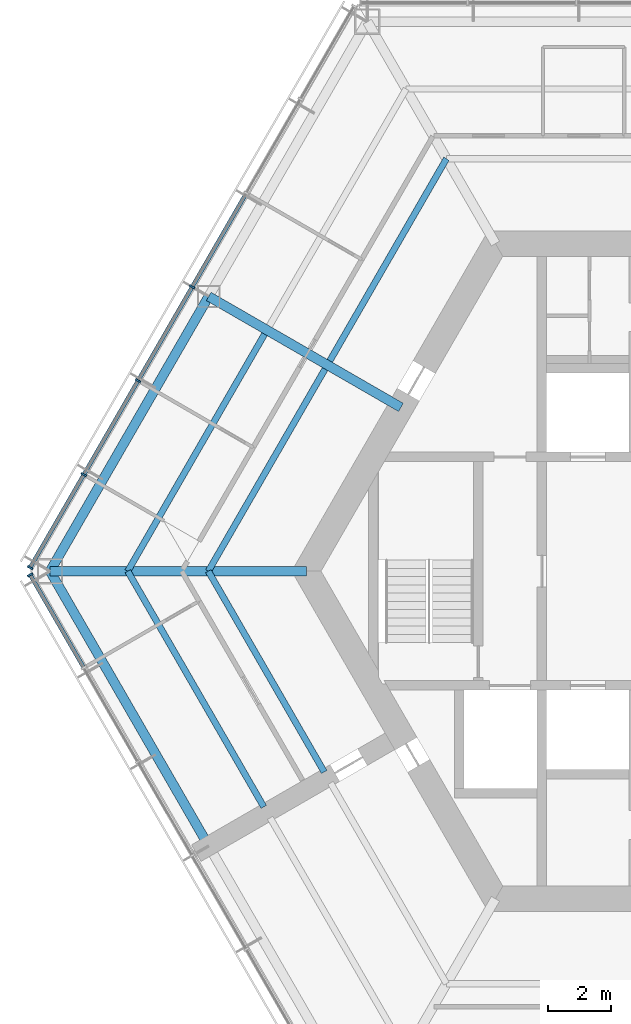
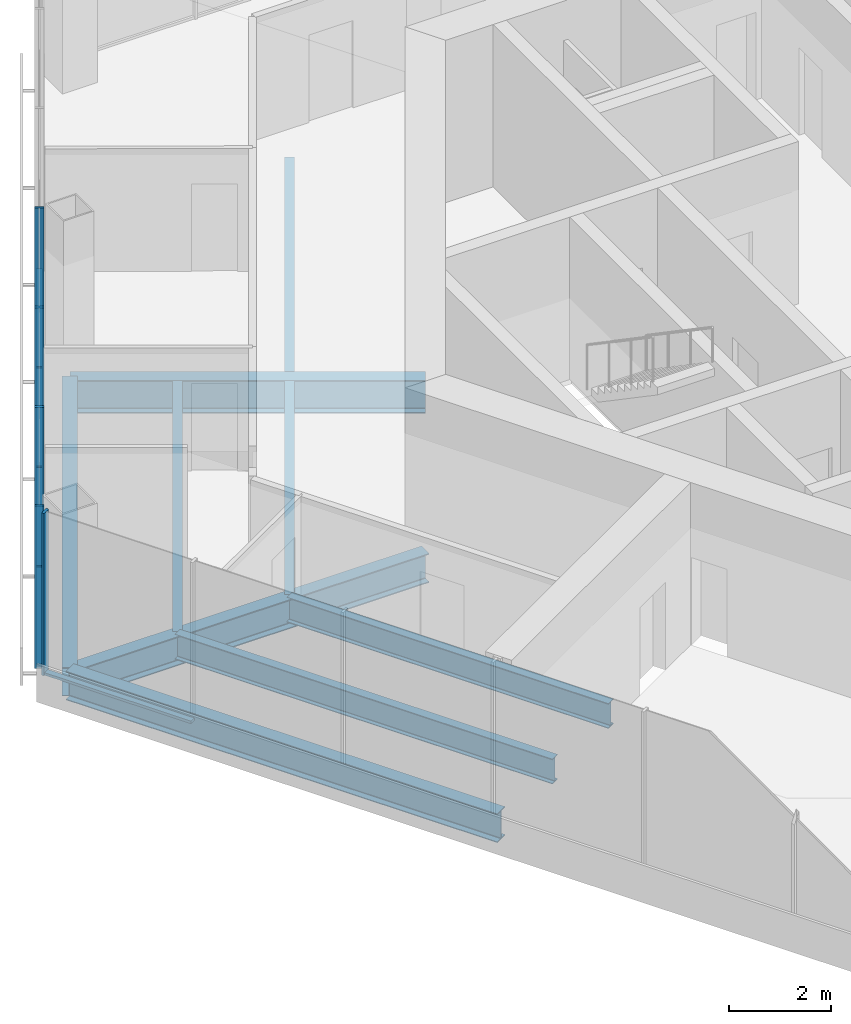
# One storey, part 3 of 13: 10 members, 9 beams, 2 elements without a shape of their own.
"""IFC4 building model written with IfcOpenShell, lengths in metres."""

import ifcopenshell
import ifcopenshell.guid

model = None  # the IFC model being written
_history = None  # IfcOwnerHistory: only IFC2X3 demands one
_inside = {}  # id of a spatial element -> (the spatial element, [elements in it])
_under = {}  # id of a project, library or spatial element -> (it, [spatial elements below it])
_declared = {}  # id of a project -> (the project, [libraries it declares])
_typed = {}  # id of a type object -> (the type object, [elements of that type])
_made_of = {}  # id of a material, layer set ... -> (it, [elements and type objects made of it])


def new_model(schema):
    """Start an empty IFC model of exactly this schema.

    Asked for "IFC4X3", IfcOpenShell would pick the latest addendum, in which some entities
    have other attributes; the version numbers below select the first issue.
    IFC2X3 requires an IfcOwnerHistory on every rooted entity: one is made here for all.
    """
    global model, _history
    if schema == "IFC4X3":
        model = ifcopenshell.file(schema_version=(4, 3, 0, 0))
    else:
        model = ifcopenshell.file(schema=schema)
    _inside.clear()
    _under.clear()
    _declared.clear()
    _typed.clear()
    _made_of.clear()
    _history = None
    if model.schema == "IFC2X3":
        org = make("IfcOrganization", Name="unknown")
        user = make(
            "IfcPersonAndOrganization",
            ThePerson=make("IfcPerson", FamilyName="unknown"),
            TheOrganization=org,
        )
        app = make(
            "IfcApplication",
            ApplicationDeveloper=org,
            Version="unknown",
            ApplicationFullName="unknown",
            ApplicationIdentifier="unknown",
        )
        _history = make(
            "IfcOwnerHistory",
            OwningUser=user,
            OwningApplication=app,
            ChangeAction="ADDED",
            CreationDate=0,
        )
    return model


def make(cls, **values):
    """One entity of the class cls with the attributes given. An attribute that is None is left unset."""
    return model.create_entity(
        cls, **{name: value for name, value in values.items() if value is not None}
    )


def rooted(cls, **values):
    """An entity with a GlobalId (a new one), such as an element, a storey or a relation."""
    return make(cls, GlobalId=ifcopenshell.guid.new(), OwnerHistory=_history, **values)


def si_unit(unit_type, name, prefix=None):
    """IfcSIUnit, for example si_unit("LENGTHUNIT", "METRE", prefix="MILLI")."""
    return make("IfcSIUnit", UnitType=unit_type, Prefix=prefix, Name=name)


def assignment(units):
    """IfcUnitAssignment: the units of a project."""
    return None if units is None else make("IfcUnitAssignment", Units=units)


def point(xyz):
    """IfcCartesianPoint."""
    return None if xyz is None else make("IfcCartesianPoint", Coordinates=xyz)


def direction(xyz):
    """IfcDirection."""
    return None if xyz is None else make("IfcDirection", DirectionRatios=xyz)


def frame(location, z_axis=None, x_axis=None):
    """IfcAxis2Placement3D, a coordinate frame: its origin and axes. An axis left out is left unset."""
    return make(
        "IfcAxis2Placement3D",
        Location=point(location),
        Axis=direction(z_axis),
        RefDirection=direction(x_axis),
    )


def frame_2d(location, x_axis=None):
    """IfcAxis2Placement2D, a coordinate frame in the plane: its origin and x axis."""
    return make(
        "IfcAxis2Placement2D", Location=point(location), RefDirection=direction(x_axis)
    )


def origin():
    """The frame at (0, 0, 0) with its axes left unset."""
    return frame((0.0, 0.0, 0.0))


def origin_2d():
    """The frame at (0, 0) in the plane with its x axis left unset."""
    return frame_2d((0.0, 0.0))


def place(relative_to, where):
    """IfcLocalPlacement: puts the frame where relative to a parent placement (None: the world)."""
    return make(
        "IfcLocalPlacement", PlacementRelTo=relative_to, RelativePlacement=where
    )


def context(
    kind, dimensions, precision=None, world=None, true_north=None, identifier=None
):
    """IfcGeometricRepresentationContext, for example the 3D "Model" context."""
    return make(
        "IfcGeometricRepresentationContext",
        ContextIdentifier=identifier,
        ContextType=kind,
        CoordinateSpaceDimension=dimensions,
        Precision=precision,
        WorldCoordinateSystem=world,
        TrueNorth=true_north,
    )


def subcontext(parent, identifier, kind, view, scale=None):
    """IfcGeometricRepresentationSubContext, for example "Body" below "Model"."""
    return make(
        "IfcGeometricRepresentationSubContext",
        ContextIdentifier=identifier,
        ContextType=kind,
        ParentContext=parent,
        TargetScale=scale,
        TargetView=view,
    )


def project(units=None, contexts=None):
    """IfcProject with its units and contexts."""
    return rooted(
        "IfcProject",
        Name="project",
        RepresentationContexts=contexts,
        UnitsInContext=assignment(units),
    )


def spatial(cls, under=None, at=None, **own):
    """A site, building, storey or space (cls), placed at a placement, below another one or the project."""
    s = rooted(cls, ObjectPlacement=at, **own)
    if under is not None:
        _under.setdefault(under.id(), (under, []))[1].append(s)
    return s


def profile(cls, at=None, kind="AREA", **sizes):
    """A parametric profile (cls). Its sizes go by their IFC names, for example OverallWidth=200.0."""
    return make(cls, ProfileType=kind, Position=at, **sizes)


def rectangle(**sizes):
    """IfcRectangleProfileDef."""
    return profile("IfcRectangleProfileDef", **sizes)


def i_section(**sizes):
    """IfcIShapeProfileDef."""
    return profile("IfcIShapeProfileDef", **sizes)


def extrude(swept, where, along, depth):
    """IfcExtrudedAreaSolid: the profile swept, set in the frame where, extruded along a direction by depth."""
    return make(
        "IfcExtrudedAreaSolid",
        SweptArea=swept,
        Position=where,
        ExtrudedDirection=direction(along),
        Depth=depth,
    )


def shape(context_of_items, identifier, shape_type, items):
    """IfcShapeRepresentation: the items that make up one representation, for example the "Body"."""
    return make(
        "IfcShapeRepresentation",
        ContextOfItems=context_of_items,
        RepresentationIdentifier=identifier,
        RepresentationType=shape_type,
        Items=items,
    )


def material(Name=None, Category=None):
    """IfcMaterial."""
    return make("IfcMaterial", Name=Name, Category=Category)


def material_profile(
    of_material, cross_section, Name=None, Category=None, Priority=None
):
    """IfcMaterialProfile: a cross section and its material."""
    return make(
        "IfcMaterialProfile",
        Name=Name,
        Material=of_material,
        Profile=cross_section,
        Priority=Priority,
        Category=Category,
    )


def profile_set(profiles, Name=None, composite=None):
    """IfcMaterialProfileSet."""
    return make(
        "IfcMaterialProfileSet",
        Name=Name,
        MaterialProfiles=profiles,
        CompositeProfile=composite,
    )


def made_of(thing, what):
    """Note that an element or type object is made of a material, layer set ...; save() writes the relation."""
    if what is not None:
        _made_of.setdefault(what.id(), (what, []))[1].append(thing)
    return thing


def type_object(cls, material=None, **own):
    """A type object (cls), such as IfcWallType, which elements share."""
    return made_of(rooted(cls, **own), material)


def element(
    cls,
    number,
    at=None,
    inside=None,
    cuts=None,
    type_object=None,
    material=None,
    context=None,
    identifier="Body",
    shape_type=None,
    held_by="IfcProductDefinitionShape",
    body=None,
    shapes=None,
    **own,
):
    """One element of the class cls, such as IfcWall. Its Tag is "e" and its number.

    at: its placement. inside: the storey or other place that contains it. cuts: it is an
    opening in that element (IfcRelVoidsElement). A single representation is given by context,
    identifier, shape_type and body (its items); several are given by shapes. held_by: the class
    of the entity that holds the representations. save() writes the other relations.
    """
    e = rooted(cls, Tag="e%d" % number, ObjectPlacement=at, **own)
    if body is not None:
        shapes = [shape(context, identifier, shape_type, body)]
    if shapes is not None:
        e.Representation = make(held_by, Representations=shapes)
    if inside is not None:
        _inside.setdefault(inside.id(), (inside, []))[1].append(e)
    if cuts is not None:
        rooted(
            "IfcRelVoidsElement", RelatingBuildingElement=cuts, RelatedOpeningElement=e
        )
    if type_object is not None:
        _typed.setdefault(type_object.id(), (type_object, []))[1].append(e)
    return made_of(e, material)


def aggregate(whole, parts):
    """IfcRelAggregates: a whole, such as a stair, and the parts it consists of."""
    return rooted("IfcRelAggregates", RelatingObject=whole, RelatedObjects=parts)


def save(model, path):
    """Write the relations noted so far, then the file.

    IfcRelAggregates (storeys below a building ...), IfcRelContainedInSpatialStructure (elements
    in a storey), IfcRelDefinesByType, IfcRelAssociatesMaterial and IfcRelDeclares: one each for
    every whole, place, type object, material and project.
    """
    for whole, parts in _under.values():
        aggregate(whole, parts)
    for where, things in _inside.values():
        rooted(
            "IfcRelContainedInSpatialStructure",
            RelatedElements=things,
            RelatingStructure=where,
        )
    for kind, things in _typed.values():
        rooted("IfcRelDefinesByType", RelatedObjects=things, RelatingType=kind)
    for what, things in _made_of.values():
        rooted("IfcRelAssociatesMaterial", RelatedObjects=things, RelatingMaterial=what)
    for by, libraries in _declared.values():
        rooted("IfcRelDeclares", RelatingContext=by, RelatedDefinitions=libraries)
    model.write(path)


model = new_model("IFC4")

# Units and contexts
model_context = context("Model", 3, precision=1e-05, world=origin(), true_north=direction((0.0, 1.0)))
body_context = subcontext(model_context, "Body", "Model", "MODEL_VIEW")
ifc_project = project(units=[si_unit("LENGTHUNIT", "METRE"), si_unit("AREAUNIT", "SQUARE_METRE"), si_unit("VOLUMEUNIT", "CUBIC_METRE"), si_unit("PLANEANGLEUNIT", "RADIAN"), si_unit("MASSUNIT", "GRAM", prefix="KILO")], contexts=[model_context])

# Site, building, storey
site_placement = place(None, origin())
site = spatial("IfcSite", under=ifc_project, at=site_placement, CompositionType="ELEMENT")
building_placement = place(site_placement, origin())
building = spatial("IfcBuilding", under=site, at=building_placement, Name="Kasaneha Research Tower", CompositionType="ELEMENT")
storey_placement = place(building_placement, frame((0.0, 0.0, 275.199951171875)))
storey = spatial("IfcBuildingStorey", under=building, at=storey_placement, Name="L69", CompositionType="ELEMENT", Elevation=275.199951171875)

# Beams
ifc_material_1 = material(Name="Steel SN490B", Category="steel")
ifc_material_profile_1 = material_profile(ifc_material_1, i_section(OverallWidth=0.199951171875, OverallDepth=0.60009765625, WebThickness=0.010986328125, FlangeThickness=0.01708984375, FilletRadius=0.012939453125, at=origin_2d()), Name="H-600x200x11x17")
ifc_profile_set_1 = profile_set([ifc_material_profile_1], Name="Steel SN490B")
beam_type_1 = type_object("IfcBeamType", Name="B1-3 secondary beam H-600x200x11x17", PredefinedType="JOIST", material=ifc_profile_set_1)
for number, where, z_axis, x_axis, name in (
    (1, (-7.505615234375, 13.0, -0.449951171875), (-0.499994443168, -0.866028611999, 0.0), (0.866028611999, -0.499994443168, 0.0), "Secondary beam RS150L1 L69"),
    (2, (-15.010986328125, 0.0, -0.449951171875), (0.499994443168, 0.866028611999, 0.0), (-0.866028611999, 0.499994443168, 0.0), "Secondary beam RS150R1 L69"),
):
    element("IfcBeam", number, at=place(storey_placement, frame(where, z_axis=z_axis, x_axis=x_axis)), inside=storey, type_object=beam_type_1, Name=name, PredefinedType="JOIST", context=body_context, shape_type="SweptSolid", body=[
        extrude(i_section(OverallWidth=0.199951171875, OverallDepth=0.60009765625, WebThickness=0.010986328125, FlangeThickness=0.01708984375, FilletRadius=0.012939453125, at=origin_2d()), origin(), (0.0, 0.0, 1.0), 7.35546875),
    ])
beam_1_placement = place(storey_placement, frame((-17.551513671875, 0.0, -0.449951171875), z_axis=(0.5000050195, 0.866022505755, 0.0), x_axis=(-0.866022505755, 0.5000050195, 0.0)))
element("IfcBeam", 3, at=beam_1_placement, inside=storey, type_object=beam_type_1, Name="Secondary beam RS150R2 L69", PredefinedType="JOIST", context=body_context, shape_type="SweptSolid", body=[
    extrude(i_section(OverallWidth=0.199951171875, OverallDepth=0.60009765625, WebThickness=0.010986328125, FlangeThickness=0.01708984375, FilletRadius=0.012939453125, at=origin_2d()), origin(), (0.0, 0.0, 1.0), 8.6259765625),
])
beam_2_placement = place(storey_placement, frame((-15.010986328125, 0.0, -0.449951171875), z_axis=(0.499974128195, -0.866040340363, 0.0), x_axis=(0.866040340363, 0.499974128195, 0.0)))
element("IfcBeam", 4, at=beam_2_placement, inside=storey, type_object=beam_type_1, Name="Secondary beam RS210L1 L69", PredefinedType="JOIST", context=body_context, shape_type="SweptSolid", body=[
    extrude(i_section(OverallWidth=0.199951171875, OverallDepth=0.60009765625, WebThickness=0.010986328125, FlangeThickness=0.01708984375, FilletRadius=0.012939453125, at=origin_2d()), origin(), (0.0, 0.0, 1.0), 7.3056640625),
])
beam_3_placement = place(storey_placement, frame((-17.551513671875, 0.0, -0.449951171875), z_axis=(0.500000102728, -0.866025344474, 0.0), x_axis=(0.866025344474, 0.500000102728, 0.0)))
element("IfcBeam", 5, at=beam_3_placement, inside=storey, type_object=beam_type_1, Name="Secondary beam RS210L2 L69", PredefinedType="JOIST", context=body_context, shape_type="SweptSolid", body=[
    extrude(i_section(OverallWidth=0.199951171875, OverallDepth=0.60009765625, WebThickness=0.010986328125, FlangeThickness=0.01708984375, FilletRadius=0.012939453125, at=origin_2d()), origin(), (0.0, 0.0, 1.0), 8.57568359375),
])

# Curtain wall, members
ifc_material_2 = material(Name="Glass and aluminium", Category="aluminium")
curtain_wall_type = type_object("IfcCurtainWallType", Name="Crown curtain wall", PredefinedType="USERDEFINED", material=ifc_material_2)
curtain_wall_1_placement = place(storey_placement, origin())
curtain_wall_1 = element("IfcCurtainWall", 6, at=curtain_wall_1_placement, inside=storey, type_object=curtain_wall_type, Name="CW-C L69 run 03a", ObjectType="UNITISED CURTAIN WALL", PredefinedType="USERDEFINED")
ifc_material_3 = material(Name="Aluminium 6063-T6", Category="aluminium")
ifc_material_profile_2 = material_profile(ifc_material_3, rectangle(XDim=0.06005859375, YDim=0.179931640625, at=origin_2d()), Name="CW-C mullion 60x180")
ifc_profile_set_2 = profile_set([ifc_material_profile_2], Name="Aluminium 6063-T6")
member_type_1 = type_object("IfcMemberType", Name="CW-C mullion", PredefinedType="MULLION", material=ifc_profile_set_2)
member_1_placement = place(storey_placement, frame((-15.51953125, 8.960205078125, 0.0), z_axis=(0.0, 0.0, 1.0), x_axis=(-0.499999995722, -0.866025406254, 0.0)))
member_1 = element("IfcMember", 7, at=member_1_placement, type_object=member_type_1, Name="CW-C mullion 4", PredefinedType="MULLION", context=body_context, shape_type="SweptSolid", body=[
    extrude(rectangle(XDim=0.06005859375, YDim=0.179931640625, at=origin_2d()), origin(), (0.0, 0.0, 1.0), 3.900146484375),
])
member_2_placement = place(storey_placement, frame((-17.227294921875, 6.00244140625, 0.0), z_axis=(0.0, 0.0, 1.0), x_axis=(-0.499999995722, -0.866025406254, 0.0)))
member_2 = element("IfcMember", 8, at=member_2_placement, type_object=member_type_1, Name="CW-C mullion 5", PredefinedType="MULLION", context=body_context, shape_type="SweptSolid", body=[
    extrude(rectangle(XDim=0.06005859375, YDim=0.179931640625, at=origin_2d()), origin(), (0.0, 0.0, 1.0), 3.900146484375),
])
member_3_placement = place(storey_placement, frame((-18.93505859375, 3.04443359375, 0.0), z_axis=(0.0, 0.0, 1.0), x_axis=(-0.499999995722, -0.866025406254, 0.0)))
member_3 = element("IfcMember", 9, at=member_3_placement, type_object=member_type_1, Name="CW-C mullion 6", PredefinedType="MULLION", context=body_context, shape_type="SweptSolid", body=[
    extrude(rectangle(XDim=0.06005859375, YDim=0.179931640625, at=origin_2d()), origin(), (0.0, 0.0, 1.0), 3.900146484375),
])
member_4_placement = place(storey_placement, frame((-20.6279296875, 0.112548828125, 0.0), z_axis=(0.0, 0.0, 1.0), x_axis=(-0.499999995722, -0.866025406254, 0.0)))
member_4 = element("IfcMember", 10, at=member_4_placement, type_object=member_type_1, Name="CW-C mullion 7", PredefinedType="MULLION", context=body_context, shape_type="SweptSolid", body=[
    extrude(rectangle(XDim=0.06005859375, YDim=0.179931640625, at=origin_2d()), origin(), (0.0, 0.0, 1.0), 3.900146484375),
])

# Curtain wall, member
curtain_wall_2_placement = place(storey_placement, origin())
curtain_wall_2 = element("IfcCurtainWall", 11, at=curtain_wall_2_placement, inside=storey, type_object=curtain_wall_type, Name="CW-C L69 run 04a", ObjectType="UNITISED CURTAIN WALL", PredefinedType="USERDEFINED")
member_5_placement = place(storey_placement, frame((-20.6279296875, -0.112548828125, 0.0), z_axis=(0.0, 0.0, 1.0), x_axis=(0.499999995722, -0.866025406254, 0.0)))
member_5 = element("IfcMember", 12, at=member_5_placement, type_object=member_type_1, Name="CW-C mullion 1", PredefinedType="MULLION", context=body_context, shape_type="SweptSolid", body=[
    extrude(rectangle(XDim=0.06005859375, YDim=0.179931640625, at=origin_2d()), origin(), (0.0, 0.0, 1.0), 3.900146484375),
])

# Member
ifc_material_4 = material(Name="Aluminium 6063-T6", Category="aluminium")
ifc_material_profile_3 = material_profile(ifc_material_4, rectangle(XDim=0.1298828125, YDim=0.06005859375, at=origin_2d()), Name="CW-C transom 130x60")
ifc_profile_set_3 = profile_set([ifc_material_profile_3], Name="Aluminium 6063-T6")
member_type_2 = type_object("IfcMemberType", Name="CW-C transom", PredefinedType="USERDEFINED", material=ifc_profile_set_3)
member_6_placement = place(storey_placement, frame((-13.826904296875, 11.89208984375, 0.030029296875), z_axis=(-0.500020578564, -0.866013522419, 0.0), x_axis=(0.866013522419, -0.500020578564, 0.0)))
member_6 = element("IfcMember", 13, at=member_6_placement, type_object=member_type_2, Name="CW-C transom 3", ObjectType="TRANSOM", PredefinedType="USERDEFINED", context=body_context, shape_type="SweptSolid", body=[
    extrude(rectangle(XDim=0.1298828125, YDim=0.06005859375, at=origin_2d()), origin(), (0.0, 0.0, 1.0), 3.355224609375),
])

member_7_placement = place(storey_placement, frame((-15.53466796875, 8.934326171875, 0.030029296875), z_axis=(-0.499989072476, -0.866031712701, 0.0), x_axis=(0.866031712701, -0.499989072476, 0.0)))
member_7 = element("IfcMember", 14, at=member_7_placement, type_object=member_type_2, Name="CW-C transom 4", ObjectType="TRANSOM", PredefinedType="USERDEFINED", context=body_context, shape_type="SweptSolid", body=[
    extrude(rectangle(XDim=0.1298828125, YDim=0.06005859375, at=origin_2d()), origin(), (0.0, 0.0, 1.0), 3.35546875),
])

member_8_placement = place(storey_placement, frame((-17.242431640625, 5.976318359375, 0.030029296875), z_axis=(-0.500020578564, -0.866013522419, 0.0), x_axis=(0.866013522419, -0.500020578564, 0.0)))
member_8 = element("IfcMember", 15, at=member_8_placement, type_object=member_type_2, Name="CW-C transom 5", ObjectType="TRANSOM", PredefinedType="USERDEFINED", context=body_context, shape_type="SweptSolid", body=[
    extrude(rectangle(XDim=0.1298828125, YDim=0.06005859375, at=origin_2d()), origin(), (0.0, 0.0, 1.0), 3.355224609375),
])

member_9_placement = place(storey_placement, frame((-18.9501953125, 3.0185546875, 0.030029296875), z_axis=(-0.49997666526, -0.866038875684, 0.0), x_axis=(0.866038875684, -0.49997666526, 0.0)))
member_9 = element("IfcMember", 16, at=member_9_placement, type_object=member_type_2, Name="CW-C transom 6", ObjectType="TRANSOM", PredefinedType="USERDEFINED", context=body_context, shape_type="SweptSolid", body=[
    extrude(rectangle(XDim=0.1298828125, YDim=0.06005859375, at=origin_2d()), origin(), (0.0, 0.0, 1.0), 3.325439453125),
])

aggregate(curtain_wall_1, [member_1, member_2, member_3, member_4, member_6, member_7, member_8, member_9])

member_10_placement = place(storey_placement, frame((-20.61279296875, -0.138671875, 0.030029296875), z_axis=(0.49997666526, -0.866038875684, 0.0), x_axis=(0.866038875684, 0.49997666526, 0.0)))
member_10 = element("IfcMember", 17, at=member_10_placement, type_object=member_type_2, Name="CW-C transom 1", ObjectType="TRANSOM", PredefinedType="USERDEFINED", context=body_context, shape_type="SweptSolid", body=[
    extrude(rectangle(XDim=0.1298828125, YDim=0.06005859375, at=origin_2d()), origin(), (0.0, 0.0, 1.0), 3.325439453125),
])

aggregate(curtain_wall_2, [member_5, member_10])

# Beams
ifc_material_5 = material(Name="Steel SN490B", Category="steel")
ifc_material_profile_4 = material_profile(ifc_material_5, i_section(OverallWidth=0.300048828125, OverallDepth=0.699951171875, WebThickness=0.012939453125, FlangeThickness=0.02392578125, FilletRadius=0.01806640625, at=origin_2d()), Name="H-700x300x13x24")
ifc_profile_set_4 = profile_set([ifc_material_profile_4], Name="Steel SN490B")
beam_type_2 = type_object("IfcBeamType", Name="G1-3 radial girder H-700x300x13x24", PredefinedType="BEAM", material=ifc_profile_set_4)
beam_4_placement = place(storey_placement, frame((-11.92236328125, 0.0, -0.5), z_axis=(-1.0, 0.0, 0.0), x_axis=(0.0, -1.0, 0.0)))
element("IfcBeam", 18, at=beam_4_placement, inside=storey, type_object=beam_type_2, Name="Radial girder RV180 L69", PredefinedType="BEAM", context=body_context, shape_type="SweptSolid", body=[
    extrude(i_section(OverallWidth=0.300048828125, OverallDepth=0.699951171875, WebThickness=0.012939453125, FlangeThickness=0.02392578125, FilletRadius=0.01806640625, at=origin_2d()), origin(), (0.0, 0.0, 1.0), 8.07763671875),
])
ifc_material_6 = material(Name="Steel SN490B", Category="steel")
ifc_material_profile_5 = material_profile(ifc_material_6, i_section(OverallWidth=0.300048828125, OverallDepth=0.800048828125, WebThickness=0.013916015625, FlangeThickness=0.02587890625, FilletRadius=0.01806640625, at=origin_2d()), Name="H-800x300x14x26")
ifc_profile_set_5 = profile_set([ifc_material_profile_5], Name="Steel SN490B")
beam_type_3 = type_object("IfcBeamType", Name="G2-3 radial girder H-800x300x14x26", PredefinedType="BEAM", material=ifc_profile_set_5)
beam_5_placement = place(storey_placement, frame((-8.941650390625, 5.16259765625, -0.550048828125), z_axis=(-0.866039713508, 0.499975214012, 0.0), x_axis=(-0.499975214012, -0.866039713508, 0.0)))
element("IfcBeam", 19, at=beam_5_placement, inside=storey, type_object=beam_type_3, Name="Radial girder RM150 L69", PredefinedType="BEAM", context=body_context, shape_type="SweptSolid", body=[
    extrude(i_section(OverallWidth=0.300048828125, OverallDepth=0.800048828125, WebThickness=0.013916015625, FlangeThickness=0.02587890625, FilletRadius=0.01806640625, at=origin_2d()), origin(), (0.0, 0.0, 1.0), 6.995361328125),
])
ifc_material_7 = material(Name="Steel SN490B", Category="steel")
ifc_material_profile_6 = material_profile(ifc_material_7, i_section(OverallWidth=0.300048828125, OverallDepth=0.69189453125, WebThickness=0.012939453125, FlangeThickness=0.02001953125, FilletRadius=0.01806640625, at=origin_2d()), Name="H-692x300x13x20")
ifc_profile_set_6 = profile_set([ifc_material_profile_6], Name="Steel SN490B")
beam_type_4 = type_object("IfcBeamType", Name="G3-3 plate edge girder H-692x300x13x20", PredefinedType="BEAM", material=ifc_profile_set_6)
beam_6_placement = place(storey_placement, frame((-20.0, 0.0, -0.495849609375), z_axis=(0.49999201416, -0.866030014362, 0.0), x_axis=(0.866030014362, 0.49999201416, 0.0)))
element("IfcBeam", 20, at=beam_6_placement, inside=storey, type_object=beam_type_4, Name="Plate edge girder PEBP L69", PredefinedType="BEAM", context=body_context, shape_type="SweptSolid", body=[
    extrude(i_section(OverallWidth=0.300048828125, OverallDepth=0.69189453125, WebThickness=0.012939453125, FlangeThickness=0.02001953125, FilletRadius=0.01806640625, at=origin_2d()), origin(), (0.0, 0.0, 1.0), 9.800048828125),
])
ifc_material_8 = material(Name="Steel SN490B", Category="steel")
ifc_material_profile_7 = material_profile(ifc_material_8, i_section(OverallWidth=0.300048828125, OverallDepth=0.69189453125, WebThickness=0.012939453125, FlangeThickness=0.02001953125, FilletRadius=0.01806640625, at=origin_2d()), Name="H-692x300x13x20")
ifc_profile_set_7 = profile_set([ifc_material_profile_7], Name="Steel SN490B")
beam_type_5 = type_object("IfcBeamType", Name="SB1-3 spandrel beam H-692x300x13x20", PredefinedType="SPANDREL", material=ifc_profile_set_7)
beam_7_placement = place(storey_placement, frame((-20.0, 0.0, -0.495849609375), z_axis=(0.500004234368, 0.866022959057, 0.0), x_axis=(-0.866022959057, 0.500004234368, 0.0)))
element("IfcBeam", 21, at=beam_7_placement, inside=storey, type_object=beam_type_5, Name="Spandrel beam SR150R L69", PredefinedType="SPANDREL", context=body_context, shape_type="SweptSolid", body=[
    extrude(i_section(OverallWidth=0.300048828125, OverallDepth=0.69189453125, WebThickness=0.012939453125, FlangeThickness=0.02001953125, FilletRadius=0.01806640625, at=origin_2d()), origin(), (0.0, 0.0, 1.0), 10.0),
])

save(model, "model.ifc")
